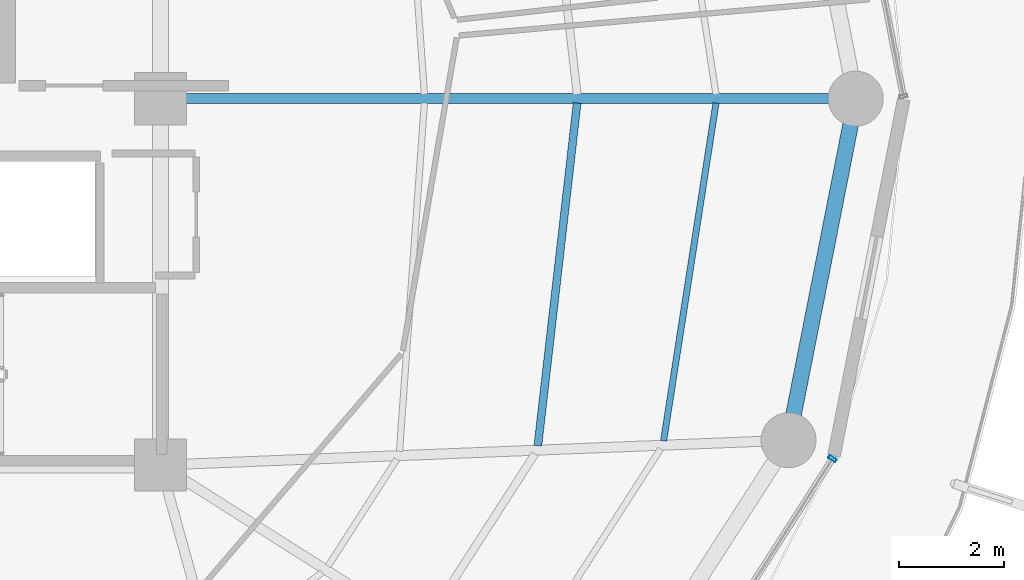
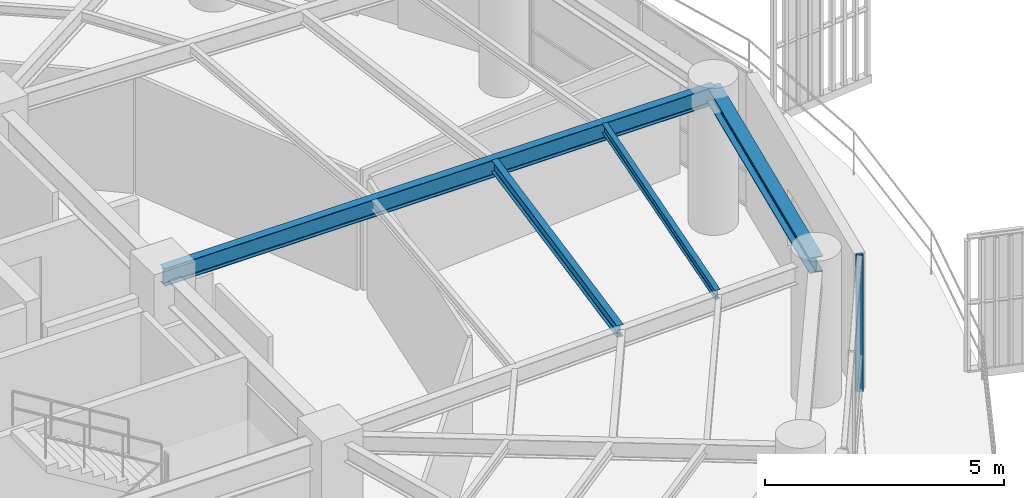
# One storey, part 13 of 31: 4 beams, 1 member, 1 element without a shape of its own.
"""IFC4 building model written with IfcOpenShell, lengths in metres."""

import ifcopenshell
import ifcopenshell.guid

model = None  # the IFC model being written
_history = None  # IfcOwnerHistory: only IFC2X3 demands one
_inside = {}  # id of a spatial element -> (the spatial element, [elements in it])
_under = {}  # id of a project, library or spatial element -> (it, [spatial elements below it])
_declared = {}  # id of a project -> (the project, [libraries it declares])
_typed = {}  # id of a type object -> (the type object, [elements of that type])
_made_of = {}  # id of a material, layer set ... -> (it, [elements and type objects made of it])


def new_model(schema):
    """Start an empty IFC model of exactly this schema.

    Asked for "IFC4X3", IfcOpenShell would pick the latest addendum, in which some entities
    have other attributes; the version numbers below select the first issue.
    IFC2X3 requires an IfcOwnerHistory on every rooted entity: one is made here for all.
    """
    global model, _history
    if schema == "IFC4X3":
        model = ifcopenshell.file(schema_version=(4, 3, 0, 0))
    else:
        model = ifcopenshell.file(schema=schema)
    _inside.clear()
    _under.clear()
    _declared.clear()
    _typed.clear()
    _made_of.clear()
    _history = None
    if model.schema == "IFC2X3":
        org = make("IfcOrganization", Name="unknown")
        user = make(
            "IfcPersonAndOrganization",
            ThePerson=make("IfcPerson", FamilyName="unknown"),
            TheOrganization=org,
        )
        app = make(
            "IfcApplication",
            ApplicationDeveloper=org,
            Version="unknown",
            ApplicationFullName="unknown",
            ApplicationIdentifier="unknown",
        )
        _history = make(
            "IfcOwnerHistory",
            OwningUser=user,
            OwningApplication=app,
            ChangeAction="ADDED",
            CreationDate=0,
        )
    return model


def make(cls, **values):
    """One entity of the class cls with the attributes given. An attribute that is None is left unset."""
    return model.create_entity(
        cls, **{name: value for name, value in values.items() if value is not None}
    )


def rooted(cls, **values):
    """An entity with a GlobalId (a new one), such as an element, a storey or a relation."""
    return make(cls, GlobalId=ifcopenshell.guid.new(), OwnerHistory=_history, **values)


def si_unit(unit_type, name, prefix=None):
    """IfcSIUnit, for example si_unit("LENGTHUNIT", "METRE", prefix="MILLI")."""
    return make("IfcSIUnit", UnitType=unit_type, Prefix=prefix, Name=name)


def assignment(units):
    """IfcUnitAssignment: the units of a project."""
    return None if units is None else make("IfcUnitAssignment", Units=units)


def point(xyz):
    """IfcCartesianPoint."""
    return None if xyz is None else make("IfcCartesianPoint", Coordinates=xyz)


def direction(xyz):
    """IfcDirection."""
    return None if xyz is None else make("IfcDirection", DirectionRatios=xyz)


def frame(location, z_axis=None, x_axis=None):
    """IfcAxis2Placement3D, a coordinate frame: its origin and axes. An axis left out is left unset."""
    return make(
        "IfcAxis2Placement3D",
        Location=point(location),
        Axis=direction(z_axis),
        RefDirection=direction(x_axis),
    )


def frame_2d(location, x_axis=None):
    """IfcAxis2Placement2D, a coordinate frame in the plane: its origin and x axis."""
    return make(
        "IfcAxis2Placement2D", Location=point(location), RefDirection=direction(x_axis)
    )


def origin():
    """The frame at (0, 0, 0) with its axes left unset."""
    return frame((0.0, 0.0, 0.0))


def origin_2d():
    """The frame at (0, 0) in the plane with its x axis left unset."""
    return frame_2d((0.0, 0.0))


def place(relative_to, where):
    """IfcLocalPlacement: puts the frame where relative to a parent placement (None: the world)."""
    return make(
        "IfcLocalPlacement", PlacementRelTo=relative_to, RelativePlacement=where
    )


def context(
    kind, dimensions, precision=None, world=None, true_north=None, identifier=None
):
    """IfcGeometricRepresentationContext, for example the 3D "Model" context."""
    return make(
        "IfcGeometricRepresentationContext",
        ContextIdentifier=identifier,
        ContextType=kind,
        CoordinateSpaceDimension=dimensions,
        Precision=precision,
        WorldCoordinateSystem=world,
        TrueNorth=true_north,
    )


def subcontext(parent, identifier, kind, view, scale=None):
    """IfcGeometricRepresentationSubContext, for example "Body" below "Model"."""
    return make(
        "IfcGeometricRepresentationSubContext",
        ContextIdentifier=identifier,
        ContextType=kind,
        ParentContext=parent,
        TargetScale=scale,
        TargetView=view,
    )


def project(units=None, contexts=None):
    """IfcProject with its units and contexts."""
    return rooted(
        "IfcProject",
        Name="project",
        RepresentationContexts=contexts,
        UnitsInContext=assignment(units),
    )


def spatial(cls, under=None, at=None, **own):
    """A site, building, storey or space (cls), placed at a placement, below another one or the project."""
    s = rooted(cls, ObjectPlacement=at, **own)
    if under is not None:
        _under.setdefault(under.id(), (under, []))[1].append(s)
    return s


def profile(cls, at=None, kind="AREA", **sizes):
    """A parametric profile (cls). Its sizes go by their IFC names, for example OverallWidth=200.0."""
    return make(cls, ProfileType=kind, Position=at, **sizes)


def hollow_rectangle(**sizes):
    """IfcRectangleHollowProfileDef."""
    return profile("IfcRectangleHollowProfileDef", **sizes)


def i_section(**sizes):
    """IfcIShapeProfileDef."""
    return profile("IfcIShapeProfileDef", **sizes)


def extrude(swept, where, along, depth):
    """IfcExtrudedAreaSolid: the profile swept, set in the frame where, extruded along a direction by depth."""
    return make(
        "IfcExtrudedAreaSolid",
        SweptArea=swept,
        Position=where,
        ExtrudedDirection=direction(along),
        Depth=depth,
    )


def shape(context_of_items, identifier, shape_type, items):
    """IfcShapeRepresentation: the items that make up one representation, for example the "Body"."""
    return make(
        "IfcShapeRepresentation",
        ContextOfItems=context_of_items,
        RepresentationIdentifier=identifier,
        RepresentationType=shape_type,
        Items=items,
    )


def material(Name=None, Category=None):
    """IfcMaterial."""
    return make("IfcMaterial", Name=Name, Category=Category)


def layer(
    of_material, thickness, ventilated=None, Name=None, Category=None, Priority=None
):
    """IfcMaterialLayer: one layer of a wall or slab, of a material (None: an air gap)."""
    return make(
        "IfcMaterialLayer",
        Material=of_material,
        LayerThickness=thickness,
        IsVentilated=ventilated,
        Name=Name,
        Category=Category,
        Priority=Priority,
    )


def layer_set(layers, Name=None):
    """IfcMaterialLayerSet."""
    return make("IfcMaterialLayerSet", MaterialLayers=layers, LayerSetName=Name)


def material_profile(
    of_material, cross_section, Name=None, Category=None, Priority=None
):
    """IfcMaterialProfile: a cross section and its material."""
    return make(
        "IfcMaterialProfile",
        Name=Name,
        Material=of_material,
        Profile=cross_section,
        Priority=Priority,
        Category=Category,
    )


def profile_set(profiles, Name=None, composite=None):
    """IfcMaterialProfileSet."""
    return make(
        "IfcMaterialProfileSet",
        Name=Name,
        MaterialProfiles=profiles,
        CompositeProfile=composite,
    )


def made_of(thing, what):
    """Note that an element or type object is made of a material, layer set ...; save() writes the relation."""
    if what is not None:
        _made_of.setdefault(what.id(), (what, []))[1].append(thing)
    return thing


def type_object(cls, material=None, **own):
    """A type object (cls), such as IfcWallType, which elements share."""
    return made_of(rooted(cls, **own), material)


def element(
    cls,
    number,
    at=None,
    inside=None,
    cuts=None,
    type_object=None,
    material=None,
    context=None,
    identifier="Body",
    shape_type=None,
    held_by="IfcProductDefinitionShape",
    body=None,
    shapes=None,
    **own,
):
    """One element of the class cls, such as IfcWall. Its Tag is "e" and its number.

    at: its placement. inside: the storey or other place that contains it. cuts: it is an
    opening in that element (IfcRelVoidsElement). A single representation is given by context,
    identifier, shape_type and body (its items); several are given by shapes. held_by: the class
    of the entity that holds the representations. save() writes the other relations.
    """
    e = rooted(cls, Tag="e%d" % number, ObjectPlacement=at, **own)
    if body is not None:
        shapes = [shape(context, identifier, shape_type, body)]
    if shapes is not None:
        e.Representation = make(held_by, Representations=shapes)
    if inside is not None:
        _inside.setdefault(inside.id(), (inside, []))[1].append(e)
    if cuts is not None:
        rooted(
            "IfcRelVoidsElement", RelatingBuildingElement=cuts, RelatedOpeningElement=e
        )
    if type_object is not None:
        _typed.setdefault(type_object.id(), (type_object, []))[1].append(e)
    return made_of(e, material)


def aggregate(whole, parts):
    """IfcRelAggregates: a whole, such as a stair, and the parts it consists of."""
    return rooted("IfcRelAggregates", RelatingObject=whole, RelatedObjects=parts)


def save(model, path):
    """Write the relations noted so far, then the file.

    IfcRelAggregates (storeys below a building ...), IfcRelContainedInSpatialStructure (elements
    in a storey), IfcRelDefinesByType, IfcRelAssociatesMaterial and IfcRelDeclares: one each for
    every whole, place, type object, material and project.
    """
    for whole, parts in _under.values():
        aggregate(whole, parts)
    for where, things in _inside.values():
        rooted(
            "IfcRelContainedInSpatialStructure",
            RelatedElements=things,
            RelatingStructure=where,
        )
    for kind, things in _typed.values():
        rooted("IfcRelDefinesByType", RelatedObjects=things, RelatingType=kind)
    for what, things in _made_of.values():
        rooted("IfcRelAssociatesMaterial", RelatedObjects=things, RelatingMaterial=what)
    for by, libraries in _declared.values():
        rooted("IfcRelDeclares", RelatingContext=by, RelatedDefinitions=libraries)
    model.write(path)


model = new_model("IFC4")

# Units and contexts
model_context = context("Model", 3, precision=1e-05, world=origin(), true_north=direction((0.0, 1.0)))
body_context = subcontext(model_context, "Body", "Model", "MODEL_VIEW")
ifc_project = project(units=[si_unit("LENGTHUNIT", "METRE"), si_unit("AREAUNIT", "SQUARE_METRE"), si_unit("VOLUMEUNIT", "CUBIC_METRE"), si_unit("PLANEANGLEUNIT", "RADIAN"), si_unit("MASSUNIT", "GRAM", prefix="KILO")], contexts=[model_context])

# Site, building, storey
site_placement = place(None, origin())
site = spatial("IfcSite", under=ifc_project, at=site_placement, CompositionType="ELEMENT")
building_placement = place(site_placement, origin())
building = spatial("IfcBuilding", under=site, at=building_placement, Name="Kelanora Arch Commons", CompositionType="ELEMENT")
storey_placement = place(building_placement, frame((0.0, 0.0, 230.699951171875)))
storey = spatial("IfcBuildingStorey", under=building, at=storey_placement, Name="L59", CompositionType="ELEMENT", Elevation=230.699951171875)

# Beams
ifc_material_1 = material(Name="Steel S355", Category="steel")
ifc_material_profile_1 = material_profile(ifc_material_1, i_section(OverallWidth=0.14990234375, OverallDepth=0.300048828125, WebThickness=0.007080078125, FlangeThickness=0.0107421875, FilletRadius=0.014892578125, at=origin_2d()), Name="IPE300")
ifc_profile_set_1 = profile_set([ifc_material_profile_1], Name="Steel S355")
beam_type_1 = type_object("IfcBeamType", Name="BM-JST-01", PredefinedType="JOIST", material=ifc_profile_set_1)
beam_1_placement = place(storey_placement, frame((89.207763671875, 51.368896484375, 3.340087890625), z_axis=(0.113891408177, 0.993493204377, 0.0), x_axis=(-0.993493204377, 0.113891408177, 0.0)))
element("IfcBeam", 1, at=beam_1_placement, inside=storey, type_object=beam_type_1, Name="Secondary Chord Joist BJB-34 L59", PredefinedType="JOIST", context=body_context, shape_type="SweptSolid", body=[
    extrude(i_section(OverallWidth=0.14990234375, OverallDepth=0.300048828125, WebThickness=0.007080078125, FlangeThickness=0.0107421875, FilletRadius=0.014892578125, at=origin_2d()), origin(), (0.0, 0.0, 1.0), 6.589599609375),
])
ifc_material_profile_2 = material_profile(ifc_material_1, i_section(OverallWidth=0.1201171875, OverallDepth=0.239990234375, WebThickness=0.006103515625, FlangeThickness=0.009765625, FilletRadius=0.014892578125, at=origin_2d()), Name="IPE240")
ifc_profile_set_2 = profile_set([ifc_material_profile_2], Name="Steel S355")
beam_type_2 = type_object("IfcBeamType", Name="BM-JST-02", PredefinedType="JOIST", material=ifc_profile_set_2)
beam_2_placement = place(storey_placement, frame((91.6103515625, 51.46337890625, 3.3701171875), z_axis=(0.153256756152, 0.988186402808, 0.0), x_axis=(-0.988186402808, 0.153256756152, 0.0)))
element("IfcBeam", 2, at=beam_2_placement, inside=storey, type_object=beam_type_2, Name="Secondary Chord Joist BJC-34 L59", PredefinedType="JOIST", context=body_context, shape_type="SweptSolid", body=[
    extrude(i_section(OverallWidth=0.1201171875, OverallDepth=0.239990234375, WebThickness=0.006103515625, FlangeThickness=0.009765625, FilletRadius=0.014892578125, at=origin_2d()), origin(), (0.0, 0.0, 1.0), 6.52978515625),
])
ifc_material_profile_3 = material_profile(ifc_material_1, i_section(OverallWidth=0.18994140625, OverallDepth=0.449951171875, WebThickness=0.009521484375, FlangeThickness=0.0146484375, FilletRadius=0.02099609375, at=origin_2d()), Name="IPE450")
ifc_profile_set_3 = profile_set([ifc_material_profile_3], Name="Steel S355")
beam_type_3 = type_object("IfcBeamType", Name="BM-RAD-Z4", PredefinedType="BEAM", material=ifc_profile_set_3)
beam_3_placement = place(storey_placement, frame((82.0, 58.0, 3.26513671875), z_axis=(1.0, 0.0, 0.0), x_axis=(0.0, 1.0, 0.0)))
element("IfcBeam", 3, at=beam_3_placement, inside=storey, type_object=beam_type_3, Name="Radial Floor Girder BR-00 L59", PredefinedType="BEAM", context=body_context, shape_type="SweptSolid", body=[
    extrude(i_section(OverallWidth=0.18994140625, OverallDepth=0.449951171875, WebThickness=0.009521484375, FlangeThickness=0.0146484375, FilletRadius=0.02099609375, at=origin_2d()), origin(), (0.0, 0.0, 1.0), 13.280029296875),
])
ifc_material_profile_4 = material_profile(ifc_material_1, i_section(OverallWidth=0.300048828125, OverallDepth=0.39990234375, WebThickness=0.013427734375, FlangeThickness=0.02392578125, FilletRadius=0.027099609375, at=origin_2d()), Name="HEB400")
ifc_profile_set_4 = profile_set([ifc_material_profile_4], Name="Steel S355")
beam_type_4 = type_object("IfcBeamType", Name="BM-SPN-Z4", PredefinedType="SPANDREL", material=ifc_profile_set_4)
beam_4_placement = place(storey_placement, frame((93.99658203125, 51.474365234375, 3.2900390625), z_axis=(0.192980724826, 0.981202547819, 0.0), x_axis=(-0.981202547819, 0.192980724826, 0.0)))
element("IfcBeam", 4, at=beam_4_placement, inside=storey, type_object=beam_type_4, Name="Perimeter Spandrel Beam BS-34 L59", PredefinedType="SPANDREL", context=body_context, shape_type="SweptSolid", body=[
    extrude(i_section(OverallWidth=0.300048828125, OverallDepth=0.39990234375, WebThickness=0.013427734375, FlangeThickness=0.02392578125, FilletRadius=0.027099609375, at=origin_2d()), origin(), (0.0, 0.0, 1.0), 6.650634765625),
])

# Curtain wall, member
ifc_material_2 = material(Name="Terracotta ceramic-fritted low-E glass and aluminium", Category="masonry")
ifc_layer = layer(ifc_material_2, 0.175048828125)
ifc_layer_set = layer_set([ifc_layer], Name="Terracotta ceramic-fritted low-E glass and aluminium")
curtain_wall_type = type_object("IfcCurtainWallType", Name="CW-SYS-02", PredefinedType="NOTDEFINED", material=ifc_layer_set)
curtain_wall_placement = place(storey_placement, origin())
curtain_wall = element("IfcCurtainWall", 5, at=curtain_wall_placement, inside=storey, type_object=curtain_wall_type, Name="Unitised Curtain Wall L59-B16", PredefinedType="NOTDEFINED")
ifc_material_3 = material(Name="Powder-coated aluminium terracotta", Category="masonry")
ifc_material_profile_5 = material_profile(ifc_material_3, hollow_rectangle(XDim=0.159912109375, YDim=0.06005859375, WallThickness=0.0048828125, InnerFilletRadius=0.0048828125, OuterFilletRadius=0.010009765625, at=origin_2d()), Name="CWM160x60")
ifc_profile_set_5 = profile_set([ifc_material_profile_5], Name="Powder-coated aluminium terracotta")
member_type = type_object("IfcMemberType", Name="CWM-STD", PredefinedType="MULLION", material=ifc_profile_set_5)
member_placement = place(storey_placement, frame((94.8369140625, 51.121826171875, 0.0), z_axis=(0.0, 0.0, 1.0), x_axis=(-0.84194757539, 0.539559338994, 0.0)))
member = element("IfcMember", 6, at=member_placement, type_object=member_type, Name="CW-02 mullion 3", PredefinedType="MULLION", context=body_context, shape_type="SweptSolid", body=[
    extrude(hollow_rectangle(XDim=0.159912109375, YDim=0.06005859375, WallThickness=0.0048828125, InnerFilletRadius=0.0048828125, OuterFilletRadius=0.010009765625, at=origin_2d()), origin(), (0.0, 0.0, 1.0), 3.47509765625),
])
aggregate(curtain_wall, [member])

save(model, "model.ifc")
